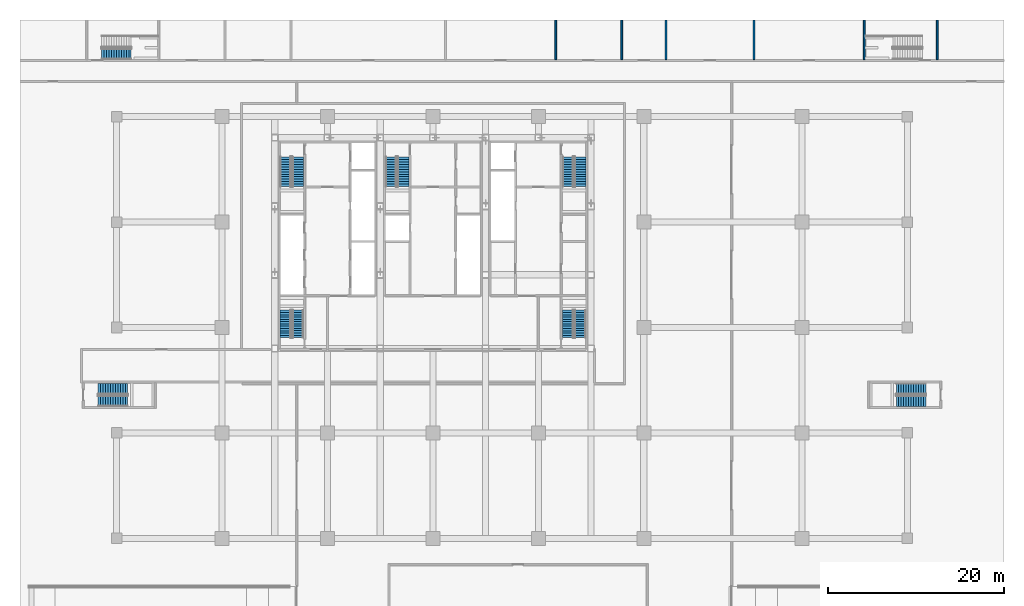
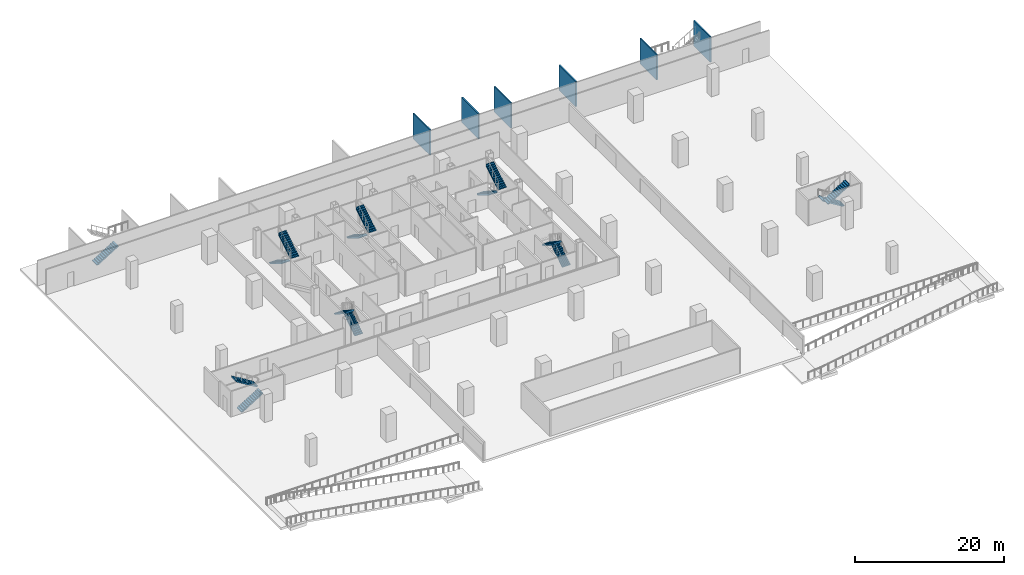
# One storey, part 10 of 15: 15 stair flights, 6 walls, 8 elements without a shape of their own.
"""IFC4 building model written with IfcOpenShell, lengths in metres."""

from ifc_helpers import new_model, si_unit, direction, frame, frame_2d, origin, place, context, subcontext, project, spatial, polyline, rectangle, outline, extrude, material, layer, layer_set, type_object, element, aggregate, save


model = new_model("IFC4")

# Units and contexts
model_context = context("Model", 3, precision=1e-05, world=origin(), true_north=direction((0.0, 1.0)))
body_context = subcontext(model_context, "Body", "Model", "MODEL_VIEW")
ifc_project = project(units=[si_unit("LENGTHUNIT", "METRE"), si_unit("AREAUNIT", "SQUARE_METRE"), si_unit("VOLUMEUNIT", "CUBIC_METRE"), si_unit("PLANEANGLEUNIT", "RADIAN"), si_unit("MASSUNIT", "GRAM", prefix="KILO")], contexts=[model_context])

# Site, building, storey
site_placement = place(None, origin())
site = spatial("IfcSite", under=ifc_project, at=site_placement, CompositionType="ELEMENT")
building_placement = place(site_placement, origin())
building = spatial("IfcBuilding", under=site, at=building_placement, Name="Sorahane Residences", CompositionType="ELEMENT")
storey_placement = place(building_placement, frame((0.0, 0.0, -4.5)))
storey = spatial("IfcBuildingStorey", under=building, at=storey_placement, Name="B1", CompositionType="ELEMENT", Elevation=-4.5)

# Walls
ifc_material_1 = material(Name="Concrete blockwork C20 wall", Category="masonry")
ifc_layer_1 = layer(ifc_material_1, 0.199951171875)
ifc_layer_set_1 = layer_set([ifc_layer_1], Name="Fire wall 200 EI 120")
wall_type_1 = type_object("IfcWallType", Name="Fire wall 200 EI 120", PredefinedType="SOLIDWALL", material=ifc_layer_set_1)
wall_1_placement = place(storey_placement, frame((81.39990234375, 54.5, 0.0), z_axis=(0.0, 0.0, 1.0), x_axis=(0.0, 1.0, 0.0)))
element("IfcWall", 1, at=wall_1_placement, inside=storey, type_object=wall_type_1, Name="B1 fire wall", PredefinedType="SOLIDWALL", context=body_context, shape_type="SweptSolid", body=[
    extrude(rectangle(XDim=4.5, YDim=0.199951171875, at=frame_2d((2.25, 0.0))), origin(), (0.0, 0.0, 1.0), 4.139892578125),
])
ifc_material_2 = material(Name="Concrete blockwork C20 wall", Category="masonry")
ifc_layer_2 = layer(ifc_material_2, 0.199951171875)
ifc_layer_set_2 = layer_set([ifc_layer_2], Name="Plant wall 200 EI 120")
wall_type_2 = type_object("IfcWallType", Name="Plant wall 200 EI 120", PredefinedType="SOLIDWALL", material=ifc_layer_set_2)
for number, where, z_axis, x_axis, name in (
    (2, (37.96875, 54.5, 0.0), (0.0, 0.0, 1.0), (0.0, 1.0, 0.0), "B1 plant wall"),
    (3, (45.496826171875, 54.5, 0.0), (0.0, 0.0, 1.0), (0.0, 1.0, 0.0), "B1 plant wall"),
    (4, (50.515625, 54.5, 0.0), (0.0, 0.0, 1.0), (0.0, 1.0, 0.0), "B1 plant wall"),
    (5, (60.552978515625, 54.5, 0.0), (0.0, 0.0, 1.0), (0.0, 1.0, 0.0), "B1 plant wall"),
):
    element("IfcWall", number, at=place(storey_placement, frame(where, z_axis=z_axis, x_axis=x_axis)), inside=storey, type_object=wall_type_2, Name=name, PredefinedType="SOLIDWALL", context=body_context, shape_type="SweptSolid", body=[
        extrude(rectangle(XDim=4.5, YDim=0.199951171875, at=frame_2d((2.25, 0.0))), origin(), (0.0, 0.0, 1.0), 4.139892578125),
    ])
ifc_material_3 = material(Name="Concrete C30", Category="concrete")
ifc_layer_3 = layer(ifc_material_3, 0.199951171875)
ifc_layer_set_3 = layer_set([ifc_layer_3], Name="Stair enclosure wall 200 EI 120")
wall_type_3 = type_object("IfcWallType", Name="Stair enclosure wall 200 EI 120", PredefinedType="SOLIDWALL", material=ifc_layer_set_3)
wall_2_placement = place(storey_placement, frame((73.10009765625, 54.5, 0.0), z_axis=(0.0, 0.0, 1.0), x_axis=(0.0, 1.0, 0.0)))
element("IfcWall", 6, at=wall_2_placement, inside=storey, type_object=wall_type_3, Name="B1 fire wall", PredefinedType="SOLIDWALL", context=body_context, shape_type="SweptSolid", body=[
    extrude(rectangle(XDim=4.5, YDim=0.199951171875, at=frame_2d((2.25, 0.0))), origin(), (0.0, 0.0, 1.0), 4.139892578125),
])

# Stair, stair flights
ifc_material_4 = material(Name="Concrete C40", Category="concrete")
stair_type = type_object("IfcStairType", Name="Dog-leg stair 1250 Concrete C40", PredefinedType="HALF_TURN_STAIR", material=ifc_material_4)
stair_1_placement = place(storey_placement, origin())
stair_1 = element("IfcStair", 7, at=stair_1_placement, inside=storey, type_object=stair_type, Name="B1 Stair S1", PredefinedType="HALF_TURN_STAIR")
ifc_material_5 = material(Name="Concrete C40", Category="concrete")
stair_flight_type = type_object("IfcStairFlightType", Name="Stair flight 1250 Concrete C40", PredefinedType="STRAIGHT", material=ifc_material_5)
stair_flight_1_placement = place(storey_placement, frame((7.22509765625, 43.39990234375, 0.0), z_axis=(0.0, 0.0, 1.0), x_axis=(0.0, -1.0, 0.0)))
stair_flight_1 = element("IfcStairFlight", 8, at=stair_flight_1_placement, type_object=stair_flight_type, Name="S1 flight 1", NumberOfRisers=13, NumberOfTreads=12, PredefinedType="STRAIGHT", RiserHeight=0.173076923, TreadLength=0.28, context=body_context, shape_type="SweptSolid", body=[
    extrude(outline(polyline([(-0.00146484375, 0.0), (-0.00146484375, 0.173095703125), (0.0, 0.173095703125), (0.280029296875, 0.173095703125), (0.280029296875, 0.34619140625), (0.56005859375, 0.34619140625), (0.56005859375, 0.519287109375), (0.840087890625, 0.519287109375), (0.840087890625, 0.6923828125), (1.1201171875, 0.6923828125), (1.1201171875, 0.865478515625), (1.39990234375, 0.865478515625), (1.39990234375, 1.03857421875), (1.679931640625, 1.03857421875), (1.679931640625, 1.21142578125), (1.9599609375, 1.21142578125), (1.9599609375, 1.384521484375), (2.239990234375, 1.384521484375), (2.239990234375, 1.5576171875), (2.52001953125, 1.5576171875), (2.52001953125, 1.730712890625), (2.800048828125, 1.730712890625), (2.800048828125, 1.90380859375), (3.080078125, 1.90380859375), (3.080078125, 2.076904296875), (3.360107421875, 2.076904296875), (3.360107421875, 2.25), (3.360107421875, 1.900634765625), (3.140380859375, 1.764892578125), (2.920654296875, 1.629150390625), (2.701171875, 1.493408203125), (2.4814453125, 1.357666015625), (2.26171875, 1.221923828125), (2.042236328125, 1.086181640625), (1.822509765625, 0.950439453125), (1.60302734375, 0.814697265625), (1.38330078125, 0.6787109375), (1.16357421875, 0.54296875), (0.944091796875, 0.4072265625), (0.724365234375, 0.271484375), (0.504638671875, 0.1357421875), (0.28515625, 0.0), (-0.00146484375, 0.0)])), frame((0.0, 0.625, 0.0), z_axis=(0.0, -1.0, 0.0), x_axis=(1.0, 0.0, 0.0)), (0.0, 0.0, 1.0), 1.25),
])
stair_flight_2_placement = place(storey_placement, frame((8.625, 40.0400390625, 2.25), z_axis=(0.0, 0.0, 1.0), x_axis=(0.0, 1.0, 0.0)))
stair_flight_2 = element("IfcStairFlight", 9, at=stair_flight_2_placement, type_object=stair_flight_type, Name="S1 flight 2", NumberOfRisers=13, NumberOfTreads=12, PredefinedType="STRAIGHT", RiserHeight=0.173076923, TreadLength=0.28, context=body_context, shape_type="SweptSolid", body=[
    extrude(outline(polyline([(0.0, 0.0), (0.0, 0.173095703125), (0.280029296875, 0.173095703125), (0.280029296875, 0.34619140625), (0.56005859375, 0.34619140625), (0.56005859375, 0.519287109375), (0.840087890625, 0.519287109375), (0.840087890625, 0.6923828125), (1.1201171875, 0.6923828125), (1.1201171875, 0.865478515625), (1.39990234375, 0.865478515625), (1.39990234375, 1.03857421875), (1.679931640625, 1.03857421875), (1.679931640625, 1.21142578125), (1.9599609375, 1.21142578125), (1.9599609375, 1.384521484375), (2.239990234375, 1.384521484375), (2.239990234375, 1.5576171875), (2.52001953125, 1.5576171875), (2.52001953125, 1.730712890625), (2.800048828125, 1.730712890625), (2.800048828125, 1.90380859375), (3.080078125, 1.90380859375), (3.080078125, 2.076904296875), (3.360107421875, 2.076904296875), (3.360107421875, 2.25), (3.361572265625, 2.25), (3.361572265625, 1.900634765625), (3.141845703125, 1.764892578125), (2.922119140625, 1.629150390625), (2.702392578125, 1.493408203125), (2.482421875, 1.357666015625), (2.2626953125, 1.221923828125), (2.04296875, 1.086181640625), (1.8232421875, 0.950439453125), (1.603515625, 0.814697265625), (1.3837890625, 0.6787109375), (1.1640625, 0.54296875), (0.9443359375, 0.4072265625), (0.724609375, 0.271484375), (0.5048828125, 0.1357421875), (0.28515625, 0.0), (0.0, 0.0)])), frame((0.0, 0.625, 0.0), z_axis=(0.0, -1.0, 0.0), x_axis=(1.0, 0.0, 0.0)), (0.0, 0.0, 1.0), 1.25),
])
aggregate(stair_1, [stair_flight_1, stair_flight_2])

stair_2_placement = place(storey_placement, origin())
stair_2 = element("IfcStair", 10, at=stair_2_placement, inside=storey, type_object=stair_type, Name="B1 Stair S2", PredefinedType="HALF_TURN_STAIR")
stair_flight_3_placement = place(storey_placement, frame((39.375, 43.39990234375, 0.0), z_axis=(0.0, 0.0, 1.0), x_axis=(0.0, -1.0, 0.0)))
stair_flight_3 = element("IfcStairFlight", 11, at=stair_flight_3_placement, type_object=stair_flight_type, Name="S2 flight 1", NumberOfRisers=13, NumberOfTreads=12, PredefinedType="STRAIGHT", RiserHeight=0.173076923, TreadLength=0.28, context=body_context, shape_type="SweptSolid", body=[
    extrude(outline(polyline([(-0.00146484375, 0.0), (-0.00146484375, 0.173095703125), (0.0, 0.173095703125), (0.280029296875, 0.173095703125), (0.280029296875, 0.34619140625), (0.56005859375, 0.34619140625), (0.56005859375, 0.519287109375), (0.840087890625, 0.519287109375), (0.840087890625, 0.6923828125), (1.1201171875, 0.6923828125), (1.1201171875, 0.865478515625), (1.39990234375, 0.865478515625), (1.39990234375, 1.03857421875), (1.679931640625, 1.03857421875), (1.679931640625, 1.21142578125), (1.9599609375, 1.21142578125), (1.9599609375, 1.384521484375), (2.239990234375, 1.384521484375), (2.239990234375, 1.5576171875), (2.52001953125, 1.5576171875), (2.52001953125, 1.730712890625), (2.800048828125, 1.730712890625), (2.800048828125, 1.90380859375), (3.080078125, 1.90380859375), (3.080078125, 2.076904296875), (3.360107421875, 2.076904296875), (3.360107421875, 2.25), (3.360107421875, 1.900634765625), (3.140380859375, 1.764892578125), (2.920654296875, 1.629150390625), (2.701171875, 1.493408203125), (2.4814453125, 1.357666015625), (2.26171875, 1.221923828125), (2.042236328125, 1.086181640625), (1.822509765625, 0.950439453125), (1.60302734375, 0.814697265625), (1.38330078125, 0.6787109375), (1.16357421875, 0.54296875), (0.944091796875, 0.4072265625), (0.724365234375, 0.271484375), (0.504638671875, 0.1357421875), (0.28515625, 0.0), (-0.00146484375, 0.0)])), frame((0.0, 0.625, 0.0), z_axis=(0.0, -1.0, 0.0), x_axis=(1.0, 0.0, 0.0)), (0.0, 0.0, 1.0), 1.25),
])
stair_flight_4_placement = place(storey_placement, frame((40.77490234375, 40.0400390625, 2.25), z_axis=(0.0, 0.0, 1.0), x_axis=(0.0, 1.0, 0.0)))
stair_flight_4 = element("IfcStairFlight", 12, at=stair_flight_4_placement, type_object=stair_flight_type, Name="S2 flight 2", NumberOfRisers=13, NumberOfTreads=12, PredefinedType="STRAIGHT", RiserHeight=0.173076923, TreadLength=0.28, context=body_context, shape_type="SweptSolid", body=[
    extrude(outline(polyline([(0.0, 0.0), (0.0, 0.173095703125), (0.280029296875, 0.173095703125), (0.280029296875, 0.34619140625), (0.56005859375, 0.34619140625), (0.56005859375, 0.519287109375), (0.840087890625, 0.519287109375), (0.840087890625, 0.6923828125), (1.1201171875, 0.6923828125), (1.1201171875, 0.865478515625), (1.39990234375, 0.865478515625), (1.39990234375, 1.03857421875), (1.679931640625, 1.03857421875), (1.679931640625, 1.21142578125), (1.9599609375, 1.21142578125), (1.9599609375, 1.384521484375), (2.239990234375, 1.384521484375), (2.239990234375, 1.5576171875), (2.52001953125, 1.5576171875), (2.52001953125, 1.730712890625), (2.800048828125, 1.730712890625), (2.800048828125, 1.90380859375), (3.080078125, 1.90380859375), (3.080078125, 2.076904296875), (3.360107421875, 2.076904296875), (3.360107421875, 2.25), (3.361572265625, 2.25), (3.361572265625, 1.900634765625), (3.141845703125, 1.764892578125), (2.922119140625, 1.629150390625), (2.702392578125, 1.493408203125), (2.482421875, 1.357666015625), (2.2626953125, 1.221923828125), (2.04296875, 1.086181640625), (1.8232421875, 0.950439453125), (1.603515625, 0.814697265625), (1.3837890625, 0.6787109375), (1.1640625, 0.54296875), (0.9443359375, 0.4072265625), (0.724609375, 0.271484375), (0.5048828125, 0.1357421875), (0.28515625, 0.0), (0.0, 0.0)])), frame((0.0, 0.625, 0.0), z_axis=(0.0, -1.0, 0.0), x_axis=(1.0, 0.0, 0.0)), (0.0, 0.0, 1.0), 1.25),
])
aggregate(stair_2, [stair_flight_3, stair_flight_4])

stair_3_placement = place(storey_placement, origin())
stair_3 = element("IfcStair", 13, at=stair_3_placement, inside=storey, type_object=stair_type, Name="B1 Stair S3", PredefinedType="HALF_TURN_STAIR")
stair_flight_5_placement = place(storey_placement, frame((19.22509765625, 43.39990234375, 0.0), z_axis=(0.0, 0.0, 1.0), x_axis=(0.0, -1.0, 0.0)))
stair_flight_5 = element("IfcStairFlight", 14, at=stair_flight_5_placement, type_object=stair_flight_type, Name="S3 flight 1", NumberOfRisers=13, NumberOfTreads=12, PredefinedType="STRAIGHT", RiserHeight=0.173076923, TreadLength=0.28, context=body_context, shape_type="SweptSolid", body=[
    extrude(outline(polyline([(-0.00146484375, 0.0), (-0.00146484375, 0.173095703125), (0.0, 0.173095703125), (0.280029296875, 0.173095703125), (0.280029296875, 0.34619140625), (0.56005859375, 0.34619140625), (0.56005859375, 0.519287109375), (0.840087890625, 0.519287109375), (0.840087890625, 0.6923828125), (1.1201171875, 0.6923828125), (1.1201171875, 0.865478515625), (1.39990234375, 0.865478515625), (1.39990234375, 1.03857421875), (1.679931640625, 1.03857421875), (1.679931640625, 1.21142578125), (1.9599609375, 1.21142578125), (1.9599609375, 1.384521484375), (2.239990234375, 1.384521484375), (2.239990234375, 1.5576171875), (2.52001953125, 1.5576171875), (2.52001953125, 1.730712890625), (2.800048828125, 1.730712890625), (2.800048828125, 1.90380859375), (3.080078125, 1.90380859375), (3.080078125, 2.076904296875), (3.360107421875, 2.076904296875), (3.360107421875, 2.25), (3.360107421875, 1.900634765625), (3.140380859375, 1.764892578125), (2.920654296875, 1.629150390625), (2.701171875, 1.493408203125), (2.4814453125, 1.357666015625), (2.26171875, 1.221923828125), (2.042236328125, 1.086181640625), (1.822509765625, 0.950439453125), (1.60302734375, 0.814697265625), (1.38330078125, 0.6787109375), (1.16357421875, 0.54296875), (0.944091796875, 0.4072265625), (0.724365234375, 0.271484375), (0.504638671875, 0.1357421875), (0.28515625, 0.0), (-0.00146484375, 0.0)])), frame((0.0, 0.625, 0.0), z_axis=(0.0, -1.0, 0.0), x_axis=(1.0, 0.0, 0.0)), (0.0, 0.0, 1.0), 1.25),
])
stair_flight_6_placement = place(storey_placement, frame((20.625, 40.0400390625, 2.25), z_axis=(0.0, 0.0, 1.0), x_axis=(0.0, 1.0, 0.0)))
stair_flight_6 = element("IfcStairFlight", 15, at=stair_flight_6_placement, type_object=stair_flight_type, Name="S3 flight 2", NumberOfRisers=13, NumberOfTreads=12, PredefinedType="STRAIGHT", RiserHeight=0.173076923, TreadLength=0.28, context=body_context, shape_type="SweptSolid", body=[
    extrude(outline(polyline([(0.0, 0.0), (0.0, 0.173095703125), (0.280029296875, 0.173095703125), (0.280029296875, 0.34619140625), (0.56005859375, 0.34619140625), (0.56005859375, 0.519287109375), (0.840087890625, 0.519287109375), (0.840087890625, 0.6923828125), (1.1201171875, 0.6923828125), (1.1201171875, 0.865478515625), (1.39990234375, 0.865478515625), (1.39990234375, 1.03857421875), (1.679931640625, 1.03857421875), (1.679931640625, 1.21142578125), (1.9599609375, 1.21142578125), (1.9599609375, 1.384521484375), (2.239990234375, 1.384521484375), (2.239990234375, 1.5576171875), (2.52001953125, 1.5576171875), (2.52001953125, 1.730712890625), (2.800048828125, 1.730712890625), (2.800048828125, 1.90380859375), (3.080078125, 1.90380859375), (3.080078125, 2.076904296875), (3.360107421875, 2.076904296875), (3.360107421875, 2.25), (3.361572265625, 2.25), (3.361572265625, 1.900634765625), (3.141845703125, 1.764892578125), (2.922119140625, 1.629150390625), (2.702392578125, 1.493408203125), (2.482421875, 1.357666015625), (2.2626953125, 1.221923828125), (2.04296875, 1.086181640625), (1.8232421875, 0.950439453125), (1.603515625, 0.814697265625), (1.3837890625, 0.6787109375), (1.1640625, 0.54296875), (0.9443359375, 0.4072265625), (0.724609375, 0.271484375), (0.5048828125, 0.1357421875), (0.28515625, 0.0), (0.0, 0.0)])), frame((0.0, 0.625, 0.0), z_axis=(0.0, -1.0, 0.0), x_axis=(1.0, 0.0, 0.0)), (0.0, 0.0, 1.0), 1.25),
])
aggregate(stair_3, [stair_flight_5, stair_flight_6])

stair_4_placement = place(storey_placement, origin())
stair_4 = element("IfcStair", 16, at=stair_4_placement, inside=storey, type_object=stair_type, Name="B1 Stair S4", PredefinedType="HALF_TURN_STAIR")
stair_flight_7_placement = place(storey_placement, frame((8.625, 22.85009765625, 0.0), z_axis=(0.0, 0.0, 1.0), x_axis=(0.0, 1.0, 0.0)))
stair_flight_7 = element("IfcStairFlight", 17, at=stair_flight_7_placement, type_object=stair_flight_type, Name="S4 flight 1", NumberOfRisers=13, NumberOfTreads=12, PredefinedType="STRAIGHT", RiserHeight=0.173076923, TreadLength=0.26, context=body_context, shape_type="SweptSolid", body=[
    extrude(outline(polyline([(-0.00146484375, 0.0), (-0.00146484375, 0.173095703125), (0.0, 0.173095703125), (0.260009765625, 0.173095703125), (0.260009765625, 0.34619140625), (0.52001953125, 0.34619140625), (0.52001953125, 0.519287109375), (0.780029296875, 0.519287109375), (0.780029296875, 0.6923828125), (1.0400390625, 0.6923828125), (1.0400390625, 0.865478515625), (1.300048828125, 0.865478515625), (1.300048828125, 1.03857421875), (1.56005859375, 1.03857421875), (1.56005859375, 1.21142578125), (1.820068359375, 1.21142578125), (1.820068359375, 1.384521484375), (2.080078125, 1.384521484375), (2.080078125, 1.5576171875), (2.340087890625, 1.5576171875), (2.340087890625, 1.730712890625), (2.60009765625, 1.730712890625), (2.60009765625, 1.90380859375), (2.860107421875, 1.90380859375), (2.860107421875, 2.076904296875), (3.1201171875, 2.076904296875), (3.1201171875, 2.25), (3.1201171875, 1.9326171875), (2.91259765625, 1.794677734375), (2.705322265625, 1.656494140625), (2.497802734375, 1.5185546875), (2.29052734375, 1.38037109375), (2.083251953125, 1.242431640625), (1.875732421875, 1.104248046875), (1.66845703125, 0.96630859375), (1.4609375, 0.828369140625), (1.253662109375, 0.690185546875), (1.046142578125, 0.55224609375), (0.8388671875, 0.4140625), (0.631591796875, 0.276123046875), (0.424072265625, 0.137939453125), (0.216796875, 0.0), (-0.00146484375, 0.0)])), frame((0.0, 0.625, 0.0), z_axis=(0.0, -1.0, 0.0), x_axis=(1.0, 0.0, 0.0)), (0.0, 0.0, 1.0), 1.25),
])
stair_flight_8_placement = place(storey_placement, frame((7.22509765625, 25.969970703125, 2.25), z_axis=(0.0, 0.0, 1.0), x_axis=(0.0, -1.0, 0.0)))
stair_flight_8 = element("IfcStairFlight", 18, at=stair_flight_8_placement, type_object=stair_flight_type, Name="S4 flight 2", NumberOfRisers=13, NumberOfTreads=12, PredefinedType="STRAIGHT", RiserHeight=0.173076923, TreadLength=0.26, context=body_context, shape_type="SweptSolid", body=[
    extrude(outline(polyline([(0.0, 0.0), (0.0, 0.173095703125), (0.260009765625, 0.173095703125), (0.260009765625, 0.34619140625), (0.52001953125, 0.34619140625), (0.52001953125, 0.519287109375), (0.780029296875, 0.519287109375), (0.780029296875, 0.6923828125), (1.0400390625, 0.6923828125), (1.0400390625, 0.865478515625), (1.300048828125, 0.865478515625), (1.300048828125, 1.03857421875), (1.56005859375, 1.03857421875), (1.56005859375, 1.21142578125), (1.820068359375, 1.21142578125), (1.820068359375, 1.384521484375), (2.080078125, 1.384521484375), (2.080078125, 1.5576171875), (2.340087890625, 1.5576171875), (2.340087890625, 1.730712890625), (2.60009765625, 1.730712890625), (2.60009765625, 1.90380859375), (2.860107421875, 1.90380859375), (2.860107421875, 2.076904296875), (3.1201171875, 2.076904296875), (3.1201171875, 2.25), (3.12158203125, 2.25), (3.12158203125, 1.9326171875), (2.9140625, 1.794677734375), (2.70654296875, 1.656494140625), (2.4990234375, 1.5185546875), (2.29150390625, 1.38037109375), (2.083984375, 1.242431640625), (1.876708984375, 1.104248046875), (1.669189453125, 0.96630859375), (1.461669921875, 0.828369140625), (1.254150390625, 0.690185546875), (1.046630859375, 0.55224609375), (0.839111328125, 0.4140625), (0.6318359375, 0.276123046875), (0.42431640625, 0.137939453125), (0.216796875, 0.0), (0.0, 0.0)])), frame((0.0, 0.625, 0.0), z_axis=(0.0, -1.0, 0.0), x_axis=(1.0, 0.0, 0.0)), (0.0, 0.0, 1.0), 1.25),
])
aggregate(stair_4, [stair_flight_7, stair_flight_8])

stair_5_placement = place(storey_placement, origin())
stair_5 = element("IfcStair", 19, at=stair_5_placement, inside=storey, type_object=stair_type, Name="B1 Stair S5", PredefinedType="HALF_TURN_STAIR")
stair_flight_9_placement = place(storey_placement, frame((40.77490234375, 22.85009765625, 0.0), z_axis=(0.0, 0.0, 1.0), x_axis=(0.0, 1.0, 0.0)))
stair_flight_9 = element("IfcStairFlight", 20, at=stair_flight_9_placement, type_object=stair_flight_type, Name="S5 flight 1", NumberOfRisers=13, NumberOfTreads=12, PredefinedType="STRAIGHT", RiserHeight=0.173076923, TreadLength=0.26, context=body_context, shape_type="SweptSolid", body=[
    extrude(outline(polyline([(-0.00146484375, 0.0), (-0.00146484375, 0.173095703125), (0.0, 0.173095703125), (0.260009765625, 0.173095703125), (0.260009765625, 0.34619140625), (0.52001953125, 0.34619140625), (0.52001953125, 0.519287109375), (0.780029296875, 0.519287109375), (0.780029296875, 0.6923828125), (1.0400390625, 0.6923828125), (1.0400390625, 0.865478515625), (1.300048828125, 0.865478515625), (1.300048828125, 1.03857421875), (1.56005859375, 1.03857421875), (1.56005859375, 1.21142578125), (1.820068359375, 1.21142578125), (1.820068359375, 1.384521484375), (2.080078125, 1.384521484375), (2.080078125, 1.5576171875), (2.340087890625, 1.5576171875), (2.340087890625, 1.730712890625), (2.60009765625, 1.730712890625), (2.60009765625, 1.90380859375), (2.860107421875, 1.90380859375), (2.860107421875, 2.076904296875), (3.1201171875, 2.076904296875), (3.1201171875, 2.25), (3.1201171875, 1.9326171875), (2.91259765625, 1.794677734375), (2.705322265625, 1.656494140625), (2.497802734375, 1.5185546875), (2.29052734375, 1.38037109375), (2.083251953125, 1.242431640625), (1.875732421875, 1.104248046875), (1.66845703125, 0.96630859375), (1.4609375, 0.828369140625), (1.253662109375, 0.690185546875), (1.046142578125, 0.55224609375), (0.8388671875, 0.4140625), (0.631591796875, 0.276123046875), (0.424072265625, 0.137939453125), (0.216796875, 0.0), (-0.00146484375, 0.0)])), frame((0.0, 0.625, 0.0), z_axis=(0.0, -1.0, 0.0), x_axis=(1.0, 0.0, 0.0)), (0.0, 0.0, 1.0), 1.25),
])
stair_flight_10_placement = place(storey_placement, frame((39.375, 25.969970703125, 2.25), z_axis=(0.0, 0.0, 1.0), x_axis=(0.0, -1.0, 0.0)))
stair_flight_10 = element("IfcStairFlight", 21, at=stair_flight_10_placement, type_object=stair_flight_type, Name="S5 flight 2", NumberOfRisers=13, NumberOfTreads=12, PredefinedType="STRAIGHT", RiserHeight=0.173076923, TreadLength=0.26, context=body_context, shape_type="SweptSolid", body=[
    extrude(outline(polyline([(0.0, 0.0), (0.0, 0.173095703125), (0.260009765625, 0.173095703125), (0.260009765625, 0.34619140625), (0.52001953125, 0.34619140625), (0.52001953125, 0.519287109375), (0.780029296875, 0.519287109375), (0.780029296875, 0.6923828125), (1.0400390625, 0.6923828125), (1.0400390625, 0.865478515625), (1.300048828125, 0.865478515625), (1.300048828125, 1.03857421875), (1.56005859375, 1.03857421875), (1.56005859375, 1.21142578125), (1.820068359375, 1.21142578125), (1.820068359375, 1.384521484375), (2.080078125, 1.384521484375), (2.080078125, 1.5576171875), (2.340087890625, 1.5576171875), (2.340087890625, 1.730712890625), (2.60009765625, 1.730712890625), (2.60009765625, 1.90380859375), (2.860107421875, 1.90380859375), (2.860107421875, 2.076904296875), (3.1201171875, 2.076904296875), (3.1201171875, 2.25), (3.12158203125, 2.25), (3.12158203125, 1.9326171875), (2.9140625, 1.794677734375), (2.70654296875, 1.656494140625), (2.4990234375, 1.5185546875), (2.29150390625, 1.38037109375), (2.083984375, 1.242431640625), (1.876708984375, 1.104248046875), (1.669189453125, 0.96630859375), (1.461669921875, 0.828369140625), (1.254150390625, 0.690185546875), (1.046630859375, 0.55224609375), (0.839111328125, 0.4140625), (0.6318359375, 0.276123046875), (0.42431640625, 0.137939453125), (0.216796875, 0.0), (0.0, 0.0)])), frame((0.0, 0.625, 0.0), z_axis=(0.0, -1.0, 0.0), x_axis=(1.0, 0.0, 0.0)), (0.0, 0.0, 1.0), 1.25),
])
aggregate(stair_5, [stair_flight_9, stair_flight_10])

# Stair, stair flight
stair_6_placement = place(storey_placement, origin())
stair_6 = element("IfcStair", 22, at=stair_6_placement, inside=storey, type_object=stair_type, Name="B1 Basement stair BS1", PredefinedType="HALF_TURN_STAIR")
stair_flight_11_placement = place(storey_placement, frame((-13.699951171875, 55.125, 0.0), z_axis=(0.0, 0.0, 1.0), x_axis=(1.0, 0.0, 0.0)))
stair_flight_11 = element("IfcStairFlight", 23, at=stair_flight_11_placement, type_object=stair_flight_type, Name="BS1 flight 1", NumberOfRisers=13, NumberOfTreads=12, PredefinedType="STRAIGHT", RiserHeight=0.173076923, TreadLength=0.28, context=body_context, shape_type="SweptSolid", body=[
    extrude(outline(polyline([(-0.00146484375, 0.0), (-0.00146484375, 0.173095703125), (0.0, 0.173095703125), (0.280029296875, 0.173095703125), (0.280029296875, 0.34619140625), (0.56005859375, 0.34619140625), (0.56005859375, 0.519287109375), (0.840087890625, 0.519287109375), (0.840087890625, 0.6923828125), (1.1201171875, 0.6923828125), (1.1201171875, 0.865478515625), (1.39990234375, 0.865478515625), (1.39990234375, 1.03857421875), (1.679931640625, 1.03857421875), (1.679931640625, 1.21142578125), (1.9599609375, 1.21142578125), (1.9599609375, 1.384521484375), (2.239990234375, 1.384521484375), (2.239990234375, 1.5576171875), (2.52001953125, 1.5576171875), (2.52001953125, 1.730712890625), (2.800048828125, 1.730712890625), (2.800048828125, 1.90380859375), (3.080078125, 1.90380859375), (3.080078125, 2.076904296875), (3.360107421875, 2.076904296875), (3.360107421875, 2.25), (3.360107421875, 1.900634765625), (3.140380859375, 1.764892578125), (2.920654296875, 1.629150390625), (2.701171875, 1.493408203125), (2.4814453125, 1.357666015625), (2.26171875, 1.221923828125), (2.042236328125, 1.086181640625), (1.822509765625, 0.950439453125), (1.60302734375, 0.814697265625), (1.38330078125, 0.6787109375), (1.16357421875, 0.54296875), (0.944091796875, 0.4072265625), (0.724365234375, 0.271484375), (0.504638671875, 0.1357421875), (0.28515625, 0.0), (-0.00146484375, 0.0)])), frame((0.0, 0.625, 0.0), z_axis=(0.0, -1.0, 0.0), x_axis=(1.0, 0.0, 0.0)), (0.0, 0.0, 1.0), 1.25),
])
aggregate(stair_6, [stair_flight_11])

# Stair, stair flights
stair_7_placement = place(storey_placement, origin())
stair_7 = element("IfcStair", 24, at=stair_7_placement, inside=storey, type_object=stair_type, Name="B1 Basement stair BS3", PredefinedType="HALF_TURN_STAIR")
stair_flight_12_placement = place(storey_placement, frame((-14.10009765625, 15.625, 0.0), z_axis=(0.0, 0.0, 1.0), x_axis=(1.0, 0.0, 0.0)))
stair_flight_12 = element("IfcStairFlight", 25, at=stair_flight_12_placement, type_object=stair_flight_type, Name="BS3 flight 1", NumberOfRisers=13, NumberOfTreads=12, PredefinedType="STRAIGHT", RiserHeight=0.173076923, TreadLength=0.28, context=body_context, shape_type="SweptSolid", body=[
    extrude(outline(polyline([(-0.00146484375, 0.0), (-0.00146484375, 0.173095703125), (0.0, 0.173095703125), (0.280029296875, 0.173095703125), (0.280029296875, 0.34619140625), (0.56005859375, 0.34619140625), (0.56005859375, 0.519287109375), (0.840087890625, 0.519287109375), (0.840087890625, 0.6923828125), (1.1201171875, 0.6923828125), (1.1201171875, 0.865478515625), (1.39990234375, 0.865478515625), (1.39990234375, 1.03857421875), (1.679931640625, 1.03857421875), (1.679931640625, 1.21142578125), (1.9599609375, 1.21142578125), (1.9599609375, 1.384521484375), (2.239990234375, 1.384521484375), (2.239990234375, 1.5576171875), (2.52001953125, 1.5576171875), (2.52001953125, 1.730712890625), (2.800048828125, 1.730712890625), (2.800048828125, 1.90380859375), (3.080078125, 1.90380859375), (3.080078125, 2.076904296875), (3.360107421875, 2.076904296875), (3.360107421875, 2.25), (3.360107421875, 1.900634765625), (3.140380859375, 1.764892578125), (2.920654296875, 1.629150390625), (2.701171875, 1.493408203125), (2.4814453125, 1.357666015625), (2.26171875, 1.221923828125), (2.042236328125, 1.086181640625), (1.822509765625, 0.950439453125), (1.60302734375, 0.814697265625), (1.38330078125, 0.6787109375), (1.16357421875, 0.54296875), (0.944091796875, 0.4072265625), (0.724365234375, 0.271484375), (0.504638671875, 0.1357421875), (0.28515625, 0.0), (-0.00146484375, 0.0)])), frame((0.0, 0.625, 0.0), z_axis=(0.0, -1.0, 0.0), x_axis=(1.0, 0.0, 0.0)), (0.0, 0.0, 1.0), 1.25),
])
stair_flight_13_placement = place(storey_placement, frame((-10.739990234375, 17.02490234375, 2.25), z_axis=(0.0, 0.0, 1.0), x_axis=(-1.0, 0.0, 0.0)))
stair_flight_13 = element("IfcStairFlight", 26, at=stair_flight_13_placement, type_object=stair_flight_type, Name="BS3 flight 2", NumberOfRisers=13, NumberOfTreads=12, PredefinedType="STRAIGHT", RiserHeight=0.173076923, TreadLength=0.28, context=body_context, shape_type="SweptSolid", body=[
    extrude(outline(polyline([(0.0, 0.0), (0.0, 0.173095703125), (0.280029296875, 0.173095703125), (0.280029296875, 0.34619140625), (0.56005859375, 0.34619140625), (0.56005859375, 0.519287109375), (0.840087890625, 0.519287109375), (0.840087890625, 0.6923828125), (1.1201171875, 0.6923828125), (1.1201171875, 0.865478515625), (1.39990234375, 0.865478515625), (1.39990234375, 1.03857421875), (1.679931640625, 1.03857421875), (1.679931640625, 1.21142578125), (1.9599609375, 1.21142578125), (1.9599609375, 1.384521484375), (2.239990234375, 1.384521484375), (2.239990234375, 1.5576171875), (2.52001953125, 1.5576171875), (2.52001953125, 1.730712890625), (2.800048828125, 1.730712890625), (2.800048828125, 1.90380859375), (3.080078125, 1.90380859375), (3.080078125, 2.076904296875), (3.360107421875, 2.076904296875), (3.360107421875, 2.25), (3.361572265625, 2.25), (3.361572265625, 1.900634765625), (3.141845703125, 1.764892578125), (2.922119140625, 1.629150390625), (2.702392578125, 1.493408203125), (2.482421875, 1.357666015625), (2.2626953125, 1.221923828125), (2.04296875, 1.086181640625), (1.8232421875, 0.950439453125), (1.603515625, 0.814697265625), (1.3837890625, 0.6787109375), (1.1640625, 0.54296875), (0.9443359375, 0.4072265625), (0.724609375, 0.271484375), (0.5048828125, 0.1357421875), (0.28515625, 0.0), (0.0, 0.0)])), frame((0.0, 0.625, 0.0), z_axis=(0.0, -1.0, 0.0), x_axis=(1.0, 0.0, 0.0)), (0.0, 0.0, 1.0), 1.25),
])
aggregate(stair_7, [stair_flight_12, stair_flight_13])

stair_8_placement = place(storey_placement, origin())
stair_8 = element("IfcStair", 27, at=stair_8_placement, inside=storey, type_object=stair_type, Name="B1 Basement stair BS4", PredefinedType="HALF_TURN_STAIR")
stair_flight_14_placement = place(storey_placement, frame((80.10009765625, 17.02490234375, 0.0), z_axis=(0.0, 0.0, 1.0), x_axis=(-1.0, 0.0, 0.0)))
stair_flight_14 = element("IfcStairFlight", 28, at=stair_flight_14_placement, type_object=stair_flight_type, Name="BS4 flight 1", NumberOfRisers=13, NumberOfTreads=12, PredefinedType="STRAIGHT", RiserHeight=0.173076923, TreadLength=0.28, context=body_context, shape_type="SweptSolid", body=[
    extrude(outline(polyline([(-0.00146484375, 0.0), (-0.00146484375, 0.173095703125), (0.0, 0.173095703125), (0.280029296875, 0.173095703125), (0.280029296875, 0.34619140625), (0.56005859375, 0.34619140625), (0.56005859375, 0.519287109375), (0.840087890625, 0.519287109375), (0.840087890625, 0.6923828125), (1.1201171875, 0.6923828125), (1.1201171875, 0.865478515625), (1.39990234375, 0.865478515625), (1.39990234375, 1.03857421875), (1.679931640625, 1.03857421875), (1.679931640625, 1.21142578125), (1.9599609375, 1.21142578125), (1.9599609375, 1.384521484375), (2.239990234375, 1.384521484375), (2.239990234375, 1.5576171875), (2.52001953125, 1.5576171875), (2.52001953125, 1.730712890625), (2.800048828125, 1.730712890625), (2.800048828125, 1.90380859375), (3.080078125, 1.90380859375), (3.080078125, 2.076904296875), (3.360107421875, 2.076904296875), (3.360107421875, 2.25), (3.360107421875, 1.900634765625), (3.140380859375, 1.764892578125), (2.920654296875, 1.629150390625), (2.701171875, 1.493408203125), (2.4814453125, 1.357666015625), (2.26171875, 1.221923828125), (2.042236328125, 1.086181640625), (1.822509765625, 0.950439453125), (1.60302734375, 0.814697265625), (1.38330078125, 0.6787109375), (1.16357421875, 0.54296875), (0.944091796875, 0.4072265625), (0.724365234375, 0.271484375), (0.504638671875, 0.1357421875), (0.28515625, 0.0), (-0.00146484375, 0.0)])), frame((0.0, 0.625, 0.0), z_axis=(0.0, -1.0, 0.0), x_axis=(1.0, 0.0, 0.0)), (0.0, 0.0, 1.0), 1.25),
])
stair_flight_15_placement = place(storey_placement, frame((76.739990234375, 15.625, 2.25), z_axis=(0.0, 0.0, 1.0), x_axis=(1.0, 0.0, 0.0)))
stair_flight_15 = element("IfcStairFlight", 29, at=stair_flight_15_placement, type_object=stair_flight_type, Name="BS4 flight 2", NumberOfRisers=13, NumberOfTreads=12, PredefinedType="STRAIGHT", RiserHeight=0.173076923, TreadLength=0.28, context=body_context, shape_type="SweptSolid", body=[
    extrude(outline(polyline([(0.0, 0.0), (0.0, 0.173095703125), (0.280029296875, 0.173095703125), (0.280029296875, 0.34619140625), (0.56005859375, 0.34619140625), (0.56005859375, 0.519287109375), (0.840087890625, 0.519287109375), (0.840087890625, 0.6923828125), (1.1201171875, 0.6923828125), (1.1201171875, 0.865478515625), (1.39990234375, 0.865478515625), (1.39990234375, 1.03857421875), (1.679931640625, 1.03857421875), (1.679931640625, 1.21142578125), (1.9599609375, 1.21142578125), (1.9599609375, 1.384521484375), (2.239990234375, 1.384521484375), (2.239990234375, 1.5576171875), (2.52001953125, 1.5576171875), (2.52001953125, 1.730712890625), (2.800048828125, 1.730712890625), (2.800048828125, 1.90380859375), (3.080078125, 1.90380859375), (3.080078125, 2.076904296875), (3.360107421875, 2.076904296875), (3.360107421875, 2.25), (3.361572265625, 2.25), (3.361572265625, 1.900634765625), (3.141845703125, 1.764892578125), (2.922119140625, 1.629150390625), (2.702392578125, 1.493408203125), (2.482421875, 1.357666015625), (2.2626953125, 1.221923828125), (2.04296875, 1.086181640625), (1.8232421875, 0.950439453125), (1.603515625, 0.814697265625), (1.3837890625, 0.6787109375), (1.1640625, 0.54296875), (0.9443359375, 0.4072265625), (0.724609375, 0.271484375), (0.5048828125, 0.1357421875), (0.28515625, 0.0), (0.0, 0.0)])), frame((0.0, 0.625, 0.0), z_axis=(0.0, -1.0, 0.0), x_axis=(1.0, 0.0, 0.0)), (0.0, 0.0, 1.0), 1.25),
])
aggregate(stair_8, [stair_flight_14, stair_flight_15])

save(model, "model.ifc")
